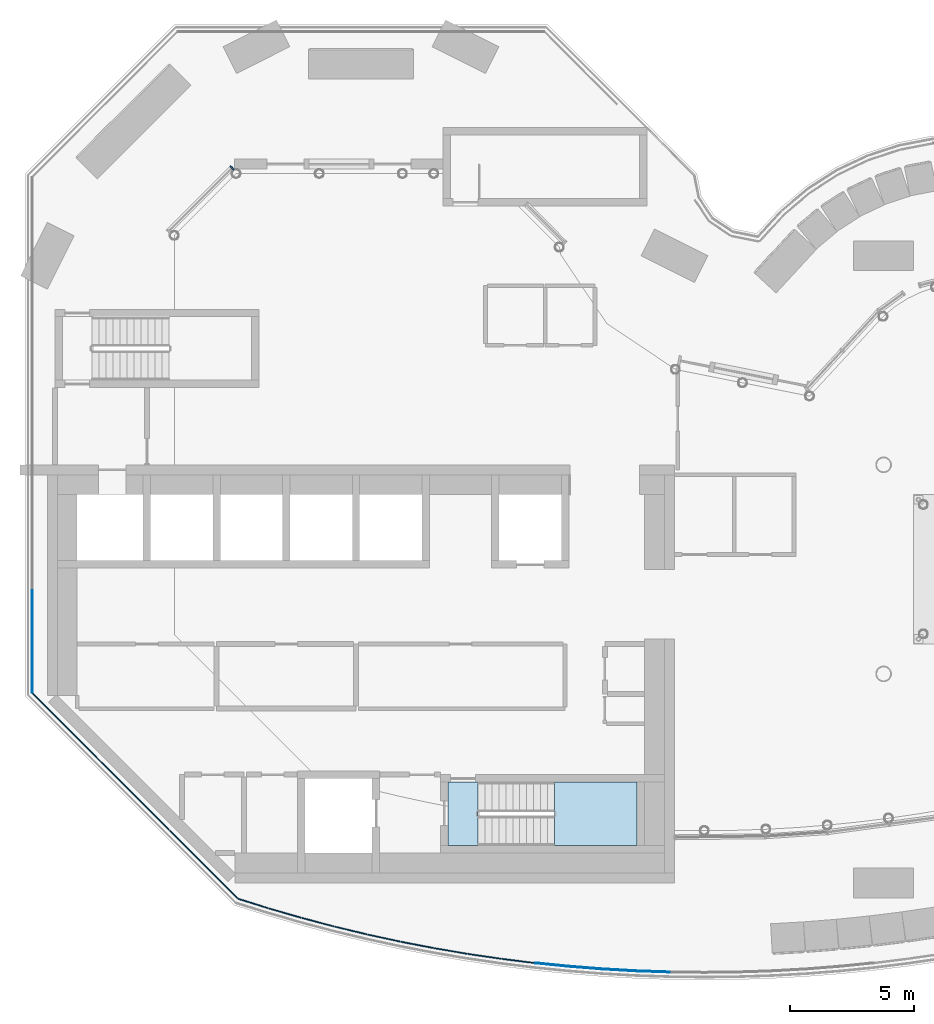
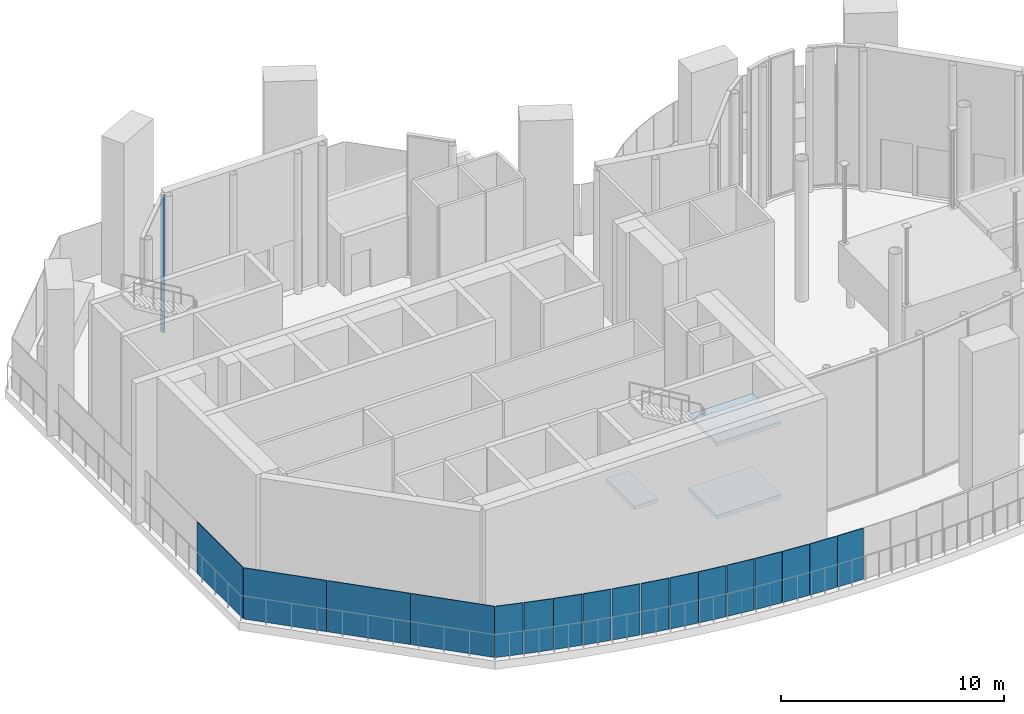
# One storey, part 5 of 14: 17 plates, 3 slabs, 1 member, 2 elements without a shape of their own.
"""IFC4 building model written with IfcOpenShell, lengths in metres."""

import ifcopenshell
import ifcopenshell.guid

model = None  # the IFC model being written
_history = None  # IfcOwnerHistory: only IFC2X3 demands one
_inside = {}  # id of a spatial element -> (the spatial element, [elements in it])
_under = {}  # id of a project, library or spatial element -> (it, [spatial elements below it])
_declared = {}  # id of a project -> (the project, [libraries it declares])
_typed = {}  # id of a type object -> (the type object, [elements of that type])
_made_of = {}  # id of a material, layer set ... -> (it, [elements and type objects made of it])


def new_model(schema):
    """Start an empty IFC model of exactly this schema.

    Asked for "IFC4X3", IfcOpenShell would pick the latest addendum, in which some entities
    have other attributes; the version numbers below select the first issue.
    IFC2X3 requires an IfcOwnerHistory on every rooted entity: one is made here for all.
    """
    global model, _history
    if schema == "IFC4X3":
        model = ifcopenshell.file(schema_version=(4, 3, 0, 0))
    else:
        model = ifcopenshell.file(schema=schema)
    _inside.clear()
    _under.clear()
    _declared.clear()
    _typed.clear()
    _made_of.clear()
    _history = None
    if model.schema == "IFC2X3":
        org = make("IfcOrganization", Name="unknown")
        user = make(
            "IfcPersonAndOrganization",
            ThePerson=make("IfcPerson", FamilyName="unknown"),
            TheOrganization=org,
        )
        app = make(
            "IfcApplication",
            ApplicationDeveloper=org,
            Version="unknown",
            ApplicationFullName="unknown",
            ApplicationIdentifier="unknown",
        )
        _history = make(
            "IfcOwnerHistory",
            OwningUser=user,
            OwningApplication=app,
            ChangeAction="ADDED",
            CreationDate=0,
        )
    return model


def make(cls, **values):
    """One entity of the class cls with the attributes given. An attribute that is None is left unset."""
    return model.create_entity(
        cls, **{name: value for name, value in values.items() if value is not None}
    )


def rooted(cls, **values):
    """An entity with a GlobalId (a new one), such as an element, a storey or a relation."""
    return make(cls, GlobalId=ifcopenshell.guid.new(), OwnerHistory=_history, **values)


def si_unit(unit_type, name, prefix=None):
    """IfcSIUnit, for example si_unit("LENGTHUNIT", "METRE", prefix="MILLI")."""
    return make("IfcSIUnit", UnitType=unit_type, Prefix=prefix, Name=name)


def assignment(units):
    """IfcUnitAssignment: the units of a project."""
    return None if units is None else make("IfcUnitAssignment", Units=units)


def point(xyz):
    """IfcCartesianPoint."""
    return None if xyz is None else make("IfcCartesianPoint", Coordinates=xyz)


def direction(xyz):
    """IfcDirection."""
    return None if xyz is None else make("IfcDirection", DirectionRatios=xyz)


def frame(location, z_axis=None, x_axis=None):
    """IfcAxis2Placement3D, a coordinate frame: its origin and axes. An axis left out is left unset."""
    return make(
        "IfcAxis2Placement3D",
        Location=point(location),
        Axis=direction(z_axis),
        RefDirection=direction(x_axis),
    )


def frame_2d(location, x_axis=None):
    """IfcAxis2Placement2D, a coordinate frame in the plane: its origin and x axis."""
    return make(
        "IfcAxis2Placement2D", Location=point(location), RefDirection=direction(x_axis)
    )


def origin():
    """The frame at (0, 0, 0) with its axes left unset."""
    return frame((0.0, 0.0, 0.0))


def origin_2d():
    """The frame at (0, 0) in the plane with its x axis left unset."""
    return frame_2d((0.0, 0.0))


def place(relative_to, where):
    """IfcLocalPlacement: puts the frame where relative to a parent placement (None: the world)."""
    return make(
        "IfcLocalPlacement", PlacementRelTo=relative_to, RelativePlacement=where
    )


def context(
    kind, dimensions, precision=None, world=None, true_north=None, identifier=None
):
    """IfcGeometricRepresentationContext, for example the 3D "Model" context."""
    return make(
        "IfcGeometricRepresentationContext",
        ContextIdentifier=identifier,
        ContextType=kind,
        CoordinateSpaceDimension=dimensions,
        Precision=precision,
        WorldCoordinateSystem=world,
        TrueNorth=true_north,
    )


def subcontext(parent, identifier, kind, view, scale=None):
    """IfcGeometricRepresentationSubContext, for example "Body" below "Model"."""
    return make(
        "IfcGeometricRepresentationSubContext",
        ContextIdentifier=identifier,
        ContextType=kind,
        ParentContext=parent,
        TargetScale=scale,
        TargetView=view,
    )


def project(units=None, contexts=None):
    """IfcProject with its units and contexts."""
    return rooted(
        "IfcProject",
        Name="project",
        RepresentationContexts=contexts,
        UnitsInContext=assignment(units),
    )


def spatial(cls, under=None, at=None, **own):
    """A site, building, storey or space (cls), placed at a placement, below another one or the project."""
    s = rooted(cls, ObjectPlacement=at, **own)
    if under is not None:
        _under.setdefault(under.id(), (under, []))[1].append(s)
    return s


def polyline(points):
    """IfcPolyline through the points."""
    return make("IfcPolyline", Points=[point(p) for p in points])


def profile(cls, at=None, kind="AREA", **sizes):
    """A parametric profile (cls). Its sizes go by their IFC names, for example OverallWidth=200.0."""
    return make(cls, ProfileType=kind, Position=at, **sizes)


def rectangle(**sizes):
    """IfcRectangleProfileDef."""
    return profile("IfcRectangleProfileDef", **sizes)


def outline(outer, holes=None, kind="AREA"):
    """IfcArbitraryClosedProfileDef: a profile drawn as a closed curve; with holes, ...WithVoids."""
    if holes is None:
        return make("IfcArbitraryClosedProfileDef", ProfileType=kind, OuterCurve=outer)
    return make(
        "IfcArbitraryProfileDefWithVoids",
        ProfileType=kind,
        OuterCurve=outer,
        InnerCurves=holes,
    )


def extrude(swept, where, along, depth):
    """IfcExtrudedAreaSolid: the profile swept, set in the frame where, extruded along a direction by depth."""
    return make(
        "IfcExtrudedAreaSolid",
        SweptArea=swept,
        Position=where,
        ExtrudedDirection=direction(along),
        Depth=depth,
    )


def shape(context_of_items, identifier, shape_type, items):
    """IfcShapeRepresentation: the items that make up one representation, for example the "Body"."""
    return make(
        "IfcShapeRepresentation",
        ContextOfItems=context_of_items,
        RepresentationIdentifier=identifier,
        RepresentationType=shape_type,
        Items=items,
    )


def material(Name=None, Category=None):
    """IfcMaterial."""
    return make("IfcMaterial", Name=Name, Category=Category)


def layer(
    of_material, thickness, ventilated=None, Name=None, Category=None, Priority=None
):
    """IfcMaterialLayer: one layer of a wall or slab, of a material (None: an air gap)."""
    return make(
        "IfcMaterialLayer",
        Material=of_material,
        LayerThickness=thickness,
        IsVentilated=ventilated,
        Name=Name,
        Category=Category,
        Priority=Priority,
    )


def layer_set(layers, Name=None):
    """IfcMaterialLayerSet."""
    return make("IfcMaterialLayerSet", MaterialLayers=layers, LayerSetName=Name)


def material_profile(
    of_material, cross_section, Name=None, Category=None, Priority=None
):
    """IfcMaterialProfile: a cross section and its material."""
    return make(
        "IfcMaterialProfile",
        Name=Name,
        Material=of_material,
        Profile=cross_section,
        Priority=Priority,
        Category=Category,
    )


def profile_set(profiles, Name=None, composite=None):
    """IfcMaterialProfileSet."""
    return make(
        "IfcMaterialProfileSet",
        Name=Name,
        MaterialProfiles=profiles,
        CompositeProfile=composite,
    )


def made_of(thing, what):
    """Note that an element or type object is made of a material, layer set ...; save() writes the relation."""
    if what is not None:
        _made_of.setdefault(what.id(), (what, []))[1].append(thing)
    return thing


def type_object(cls, material=None, **own):
    """A type object (cls), such as IfcWallType, which elements share."""
    return made_of(rooted(cls, **own), material)


def element(
    cls,
    number,
    at=None,
    inside=None,
    cuts=None,
    type_object=None,
    material=None,
    context=None,
    identifier="Body",
    shape_type=None,
    held_by="IfcProductDefinitionShape",
    body=None,
    shapes=None,
    **own,
):
    """One element of the class cls, such as IfcWall. Its Tag is "e" and its number.

    at: its placement. inside: the storey or other place that contains it. cuts: it is an
    opening in that element (IfcRelVoidsElement). A single representation is given by context,
    identifier, shape_type and body (its items); several are given by shapes. held_by: the class
    of the entity that holds the representations. save() writes the other relations.
    """
    e = rooted(cls, Tag="e%d" % number, ObjectPlacement=at, **own)
    if body is not None:
        shapes = [shape(context, identifier, shape_type, body)]
    if shapes is not None:
        e.Representation = make(held_by, Representations=shapes)
    if inside is not None:
        _inside.setdefault(inside.id(), (inside, []))[1].append(e)
    if cuts is not None:
        rooted(
            "IfcRelVoidsElement", RelatingBuildingElement=cuts, RelatedOpeningElement=e
        )
    if type_object is not None:
        _typed.setdefault(type_object.id(), (type_object, []))[1].append(e)
    return made_of(e, material)


def aggregate(whole, parts):
    """IfcRelAggregates: a whole, such as a stair, and the parts it consists of."""
    return rooted("IfcRelAggregates", RelatingObject=whole, RelatedObjects=parts)


def save(model, path):
    """Write the relations noted so far, then the file.

    IfcRelAggregates (storeys below a building ...), IfcRelContainedInSpatialStructure (elements
    in a storey), IfcRelDefinesByType, IfcRelAssociatesMaterial and IfcRelDeclares: one each for
    every whole, place, type object, material and project.
    """
    for whole, parts in _under.values():
        aggregate(whole, parts)
    for where, things in _inside.values():
        rooted(
            "IfcRelContainedInSpatialStructure",
            RelatedElements=things,
            RelatingStructure=where,
        )
    for kind, things in _typed.values():
        rooted("IfcRelDefinesByType", RelatedObjects=things, RelatingType=kind)
    for what, things in _made_of.values():
        rooted("IfcRelAssociatesMaterial", RelatedObjects=things, RelatingMaterial=what)
    for by, libraries in _declared.values():
        rooted("IfcRelDeclares", RelatingContext=by, RelatedDefinitions=libraries)
    model.write(path)


model = new_model("IFC4")

# Units and contexts
model_context = context("Model", 3, precision=1e-05, world=origin(), true_north=direction((0.0, 1.0)))
body_context = subcontext(model_context, "Body", "Model", "MODEL_VIEW")
ifc_project = project(units=[si_unit("LENGTHUNIT", "METRE"), si_unit("AREAUNIT", "SQUARE_METRE"), si_unit("VOLUMEUNIT", "CUBIC_METRE"), si_unit("PLANEANGLEUNIT", "RADIAN"), si_unit("MASSUNIT", "GRAM", prefix="KILO")], contexts=[model_context])

# Site, building, storey
site_placement = place(None, origin())
site = spatial("IfcSite", under=ifc_project, at=site_placement, CompositionType="ELEMENT")
building_placement = place(site_placement, origin())
building = spatial("IfcBuilding", under=site, at=building_placement, Name="Brevane Broadcast Tower", CompositionType="ELEMENT")
storey_placement = place(building_placement, frame((0.0, 0.0, 256.199951171875)))
storey = spatial("IfcBuildingStorey", under=building, at=storey_placement, Name="L65", CompositionType="ELEMENT", Elevation=256.199951171875)

# Curtain wall, member
ifc_material_1 = material(Name="Aluminium 6063-T6 bronze anodised", Category="aluminium")
curtain_wall_type = type_object("IfcCurtainWallType", Name="CW-5 curtain wall", PredefinedType="NOTDEFINED", material=ifc_material_1)
curtain_wall_placement = place(storey_placement, origin())
curtain_wall = element("IfcCurtainWall", 1, at=curtain_wall_placement, inside=storey, type_object=curtain_wall_type, Name="CW-5 hall glazing 19", PredefinedType="NOTDEFINED")
ifc_material_profile = material_profile(ifc_material_1, rectangle(XDim=0.199951171875, YDim=0.06005859375, at=origin_2d()), Name="RECT 60x200")
ifc_profile_set = profile_set([ifc_material_profile], Name="Aluminium 6063-T6 bronze anodised")
member_type = type_object("IfcMemberType", Name="CW-5 hall mullion 60x200", PredefinedType="MULLION", material=ifc_profile_set)
member_placement = place(storey_placement, frame((7.418701171875, 28.7294921875, 0.080078125), z_axis=(0.0, 0.0, 1.0), x_axis=(0.707106781187, -0.707106781187, 0.0)))
member = element("IfcMember", 2, at=member_placement, type_object=member_type, Name="CW-5 hall glazing mullion", PredefinedType="MULLION", context=body_context, shape_type="SweptSolid", body=[
    extrude(rectangle(XDim=0.199951171875, YDim=0.06005859375, at=origin_2d()), origin(), (0.0, 0.0, 1.0), 7.5400390625),
])
aggregate(curtain_wall, [member])

# Plates
ifc_material_2 = material(Name="Laminated glass clear", Category="glass")
ifc_layer_1 = layer(ifc_material_2, 0.0400390625)
ifc_layer_set_1 = layer_set([ifc_layer_1], Name="Deck wind screen 2800")
plate_type = type_object("IfcPlateType", Name="Deck wind screen 2800", PredefinedType="SHEET", material=ifc_layer_set_1)
for number, where, z_axis, x_axis, name in (
    (3, (6.283447265625, 0.740966796875, 0.0), (0.0, 0.0, 1.0), (-0.707106781187, 0.707106781187, 0.0), "Deck wind screen"),
    (4, (3.530029296875, 3.494140625, 0.0), (0.0, 0.0, 1.0), (-0.707106781187, 0.707106781187, 0.0), "Deck wind screen"),
    (5, (0.776611328125, 6.24755859375, 0.0), (0.0, 0.0, 1.0), (-0.707106781187, 0.707106781187, 0.0), "Deck wind screen"),
):
    element("IfcPlate", number, at=place(storey_placement, frame(where, z_axis=z_axis, x_axis=x_axis)), inside=storey, type_object=plate_type, Name=name, PredefinedType="SHEET", context=body_context, shape_type="SweptSolid", body=[
        extrude(rectangle(XDim=3.853759765625, YDim=0.0400390625, at=origin_2d()), origin(), (0.0, 0.0, 1.0), 2.800048828125),
    ])
plate_1_placement = place(storey_placement, frame((-0.60009765625, 9.699462890625, 0.0), z_axis=(0.0, 0.0, 1.0), x_axis=(0.0, 1.0, 0.0)))
element("IfcPlate", 6, at=plate_1_placement, inside=storey, type_object=plate_type, Name="Deck wind screen", PredefinedType="SHEET", context=body_context, shape_type="SweptSolid", body=[
    extrude(rectangle(XDim=4.1103515625, YDim=0.0400390625, at=origin_2d()), origin(), (0.0, 0.0, 1.0), 2.800048828125),
])
for number, where, z_axis, x_axis, name in (
    (7, (24.351806640625, -3.5615234375, 0.0), (0.0, 0.0, 1.0), (-0.999431143056, 0.033725217422, 0.0), "Deck wind screen"),
    (8, (22.987548828125, -3.500244140625, 0.0), (0.0, 0.0, 1.0), (-0.998420038959, 0.056190976185, 0.0), "Deck wind screen"),
    (9, (21.625, -3.408203125, 0.0), (0.0, 0.0, 1.0), (-0.99690411933, 0.078626820253, 0.0), "Deck wind screen"),
    (10, (20.2646484375, -3.285400390625, 0.0), (0.0, 0.0, 1.0), (-0.994883979011, 0.101024097658, 0.0), "Deck wind screen"),
    (11, (18.90771484375, -3.13232421875, 0.0), (0.0, 0.0, 1.0), (-0.99236077924, 0.123369703844, 0.0), "Deck wind screen"),
    (12, (17.554443359375, -2.948486328125, 0.0), (0.0, 0.0, 1.0), (-0.989335707455, 0.145653211273, 0.0), "Deck wind screen"),
    (13, (16.20556640625, -2.734375, 0.0), (0.0, 0.0, 1.0), (-0.985810531117, 0.167861838246, 0.0), "Deck wind screen"),
    (14, (14.86181640625, -2.489990234375, 0.0), (0.0, 0.0, 1.0), (-0.981786540928, 0.189987336557, 0.0), "Deck wind screen"),
    (15, (13.52392578125, -2.215576171875, 0.0), (0.0, 0.0, 1.0), (-0.977266217763, 0.212015894734, 0.0), "Deck wind screen"),
    (16, (12.192626953125, -1.910888671875, 0.0), (0.0, 0.0, 1.0), (-0.972251688616, 0.233937286434, 0.0), "Deck wind screen"),
    (17, (10.86865234375, -1.57666015625, 0.0), (0.0, 0.0, 1.0), (-0.966745513357, 0.25574032221, 0.0), "Deck wind screen"),
    (18, (9.55224609375, -1.21240234375, 0.0), (0.0, 0.0, 1.0), (-0.960750519553, 0.277413840999, 0.0), "Deck wind screen"),
):
    element("IfcPlate", number, at=place(storey_placement, frame(where, z_axis=z_axis, x_axis=x_axis)), inside=storey, type_object=plate_type, Name=name, PredefinedType="SHEET", context=body_context, shape_type="SweptSolid", body=[
        extrude(rectangle(XDim=1.32568359375, YDim=0.0400390625, at=origin_2d()), origin(), (0.0, 0.0, 1.0), 2.800048828125),
    ])
plate_2_placement = place(storey_placement, frame((8.278076171875, -0.829345703125, 0.0), z_axis=(0.0, 0.0, 1.0), x_axis=(-0.954269450986, 0.298947846479, 0.0)))
element("IfcPlate", 19, at=plate_2_placement, inside=storey, type_object=plate_type, Name="Deck wind screen", PredefinedType="SHEET", context=body_context, shape_type="SweptSolid", body=[
    extrude(rectangle(XDim=1.25537109375, YDim=0.0400390625, at=origin_2d()), origin(), (0.0, 0.0, 1.0), 2.800048828125),
])

# Stair, slabs
ifc_material_3 = material(Name="Concrete C50/60", Category="concrete")
stair_type = type_object("IfcStairType", Name="Exit stair 48 risers", PredefinedType="HALF_TURN_STAIR", material=ifc_material_3)
stair_placement = place(storey_placement, origin())
stair = element("IfcStair", 20, at=stair_placement, inside=storey, type_object=stair_type, Name="L65 Exit stair ST-2", PredefinedType="HALF_TURN_STAIR")
ifc_layer_2 = layer(ifc_material_3, 0.199951171875)
ifc_layer_set_2 = layer_set([ifc_layer_2], Name="Exit stair landing")
slab_type = type_object("IfcSlabType", Name="Exit stair landing", PredefinedType="LANDING", material=ifc_layer_set_2)
slab_1_placement = place(storey_placement, frame((0.0, 0.0, 1.800048828125)))
slab_1 = element("IfcSlab", 21, at=slab_1_placement, type_object=slab_type, Name="ST-2 landing 1", PredefinedType="LANDING", context=body_context, shape_type="SweptSolid", body=[
    extrude(outline(polyline([(20.3798828125, 1.5), (23.699951171875, 1.5), (23.699951171875, 4.050048828125), (20.3798828125, 4.050048828125), (20.3798828125, 1.5)])), origin(), (0.0, 0.0, 1.0), 0.199951171875),
])
slab_2_placement = place(storey_placement, frame((0.0, 0.0, 3.800048828125)))
slab_2 = element("IfcSlab", 22, at=slab_2_placement, type_object=slab_type, Name="ST-2 landing 2", PredefinedType="LANDING", context=body_context, shape_type="SweptSolid", body=[
    extrude(outline(polyline([(16.10009765625, 1.5), (17.300048828125, 1.5), (17.300048828125, 4.050048828125), (16.10009765625, 4.050048828125), (16.10009765625, 1.5)])), origin(), (0.0, 0.0, 1.0), 0.199951171875),
])
slab_3_placement = place(storey_placement, frame((0.0, 0.0, 5.800048828125)))
slab_3 = element("IfcSlab", 23, at=slab_3_placement, type_object=slab_type, Name="ST-2 landing 3", PredefinedType="LANDING", context=body_context, shape_type="SweptSolid", body=[
    extrude(outline(polyline([(20.3798828125, 1.5), (23.699951171875, 1.5), (23.699951171875, 4.050048828125), (20.3798828125, 4.050048828125), (20.3798828125, 1.5)])), origin(), (0.0, 0.0, 1.0), 0.199951171875),
])
aggregate(stair, [slab_1, slab_2, slab_3])

save(model, "model.ifc")
